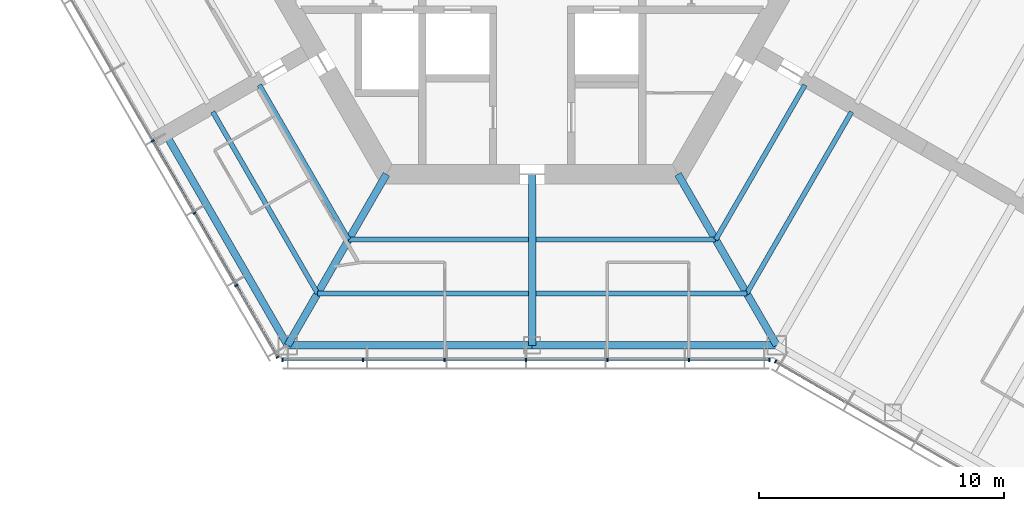
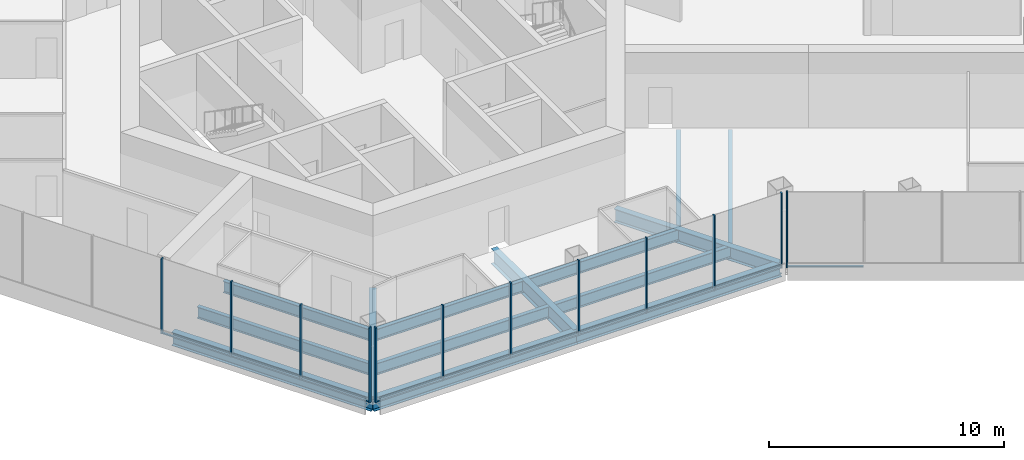
# One storey, part 2 of 16: 22 members, 14 beams, 3 elements without a shape of their own.
"""IFC4 building model written with IfcOpenShell, lengths in metres."""

from ifc_helpers import new_model, si_unit, direction, frame, origin, origin_2d, place, context, subcontext, project, spatial, rectangle, i_section, extrude, material, material_profile, profile_set, type_object, element, aggregate, save


model = new_model("IFC4")

# Units and contexts
model_context = context("Model", 3, precision=1e-05, world=origin(), true_north=direction((0.0, 1.0)))
body_context = subcontext(model_context, "Body", "Model", "MODEL_VIEW")
ifc_project = project(units=[si_unit("LENGTHUNIT", "METRE"), si_unit("AREAUNIT", "SQUARE_METRE"), si_unit("VOLUMEUNIT", "CUBIC_METRE"), si_unit("PLANEANGLEUNIT", "RADIAN"), si_unit("MASSUNIT", "GRAM", prefix="KILO")], contexts=[model_context])

# Site, building, storey
site_placement = place(None, origin())
site = spatial("IfcSite", under=ifc_project, at=site_placement, CompositionType="ELEMENT")
building_placement = place(site_placement, origin())
building = spatial("IfcBuilding", under=site, at=building_placement, Name="Kasaneha Research Tower", CompositionType="ELEMENT")
storey_placement = place(building_placement, frame((0.0, 0.0, 259.60009765625)))
storey = spatial("IfcBuildingStorey", under=building, at=storey_placement, Name="L65", CompositionType="ELEMENT", Elevation=259.60009765625)

# Beams
ifc_material_1 = material(Name="Steel SN490B", Category="steel")
ifc_material_profile_1 = material_profile(ifc_material_1, i_section(OverallWidth=0.199951171875, OverallDepth=0.60009765625, WebThickness=0.010986328125, FlangeThickness=0.01708984375, FilletRadius=0.012939453125, at=origin_2d()), Name="H-600x200x11x17")
ifc_profile_set_1 = profile_set([ifc_material_profile_1], Name="Steel SN490B")
beam_type_1 = type_object("IfcBeamType", Name="B1-3 secondary beam H-600x200x11x17", PredefinedType="JOIST", material=ifc_profile_set_1)
beam_1_placement = place(storey_placement, frame((-7.505615234375, -13.0, -0.4501953125), z_axis=(-0.499999192304, 0.866025870108, 0.0), x_axis=(-0.866025870108, -0.499999192304, 0.0)))
element("IfcBeam", 1, at=beam_1_placement, inside=storey, type_object=beam_type_1, Name="Secondary beam RS210R1 L65", PredefinedType="JOIST", context=body_context, shape_type="SweptSolid", body=[
    extrude(i_section(OverallWidth=0.199951171875, OverallDepth=0.60009765625, WebThickness=0.010986328125, FlangeThickness=0.01708984375, FilletRadius=0.012939453125, at=origin_2d()), origin(), (0.0, 0.0, 1.0), 7.3056640625),
])
beam_2_placement = place(storey_placement, frame((-8.775634765625, -15.199951171875, -0.4501953125), z_axis=(-0.500000102728, 0.866025344474, 0.0), x_axis=(-0.866025344474, -0.500000102728, 0.0)))
element("IfcBeam", 2, at=beam_2_placement, inside=storey, type_object=beam_type_1, Name="Secondary beam RS210R2 L65", PredefinedType="JOIST", context=body_context, shape_type="SweptSolid", body=[
    extrude(i_section(OverallWidth=0.199951171875, OverallDepth=0.60009765625, WebThickness=0.010986328125, FlangeThickness=0.01708984375, FilletRadius=0.012939453125, at=origin_2d()), origin(), (0.0, 0.0, 1.0), 8.57568359375),
])
beam_3_placement = place(storey_placement, frame((-7.505615234375, -13.0, -0.4501953125), z_axis=(1.0, 0.0, 0.0), x_axis=(0.0, 1.0, 0.0)))
element("IfcBeam", 3, at=beam_3_placement, inside=storey, type_object=beam_type_1, Name="Secondary beam RS270L1 L65", PredefinedType="JOIST", context=body_context, shape_type="SweptSolid", body=[
    extrude(i_section(OverallWidth=0.199951171875, OverallDepth=0.60009765625, WebThickness=0.010986328125, FlangeThickness=0.01708984375, FilletRadius=0.012939453125, at=origin_2d()), origin(), (0.0, 0.0, 1.0), 7.355712890625),
])
beam_4_placement = place(storey_placement, frame((-8.775634765625, -15.199951171875, -0.4501953125), z_axis=(1.0, 0.0, 0.0), x_axis=(0.0, 1.0, 0.0)))
element("IfcBeam", 4, at=beam_4_placement, inside=storey, type_object=beam_type_1, Name="Secondary beam RS270L2 L65", PredefinedType="JOIST", context=body_context, shape_type="SweptSolid", body=[
    extrude(i_section(OverallWidth=0.199951171875, OverallDepth=0.60009765625, WebThickness=0.010986328125, FlangeThickness=0.01708984375, FilletRadius=0.012939453125, at=origin_2d()), origin(), (0.0, 0.0, 1.0), 8.625732421875),
])
beam_5_placement = place(storey_placement, frame((7.505615234375, -13.0, -0.4501953125), z_axis=(-1.0, 0.0, 0.0), x_axis=(0.0, -1.0, 0.0)))
element("IfcBeam", 5, at=beam_5_placement, inside=storey, type_object=beam_type_1, Name="Secondary beam RS270R1 L65", PredefinedType="JOIST", context=body_context, shape_type="SweptSolid", body=[
    extrude(i_section(OverallWidth=0.199951171875, OverallDepth=0.60009765625, WebThickness=0.010986328125, FlangeThickness=0.01708984375, FilletRadius=0.012939453125, at=origin_2d()), origin(), (0.0, 0.0, 1.0), 7.355712890625),
])
beam_6_placement = place(storey_placement, frame((8.775634765625, -15.199951171875, -0.4501953125), z_axis=(-1.0, 0.0, 0.0), x_axis=(0.0, -1.0, 0.0)))
element("IfcBeam", 6, at=beam_6_placement, inside=storey, type_object=beam_type_1, Name="Secondary beam RS270R2 L65", PredefinedType="JOIST", context=body_context, shape_type="SweptSolid", body=[
    extrude(i_section(OverallWidth=0.199951171875, OverallDepth=0.60009765625, WebThickness=0.010986328125, FlangeThickness=0.01708984375, FilletRadius=0.012939453125, at=origin_2d()), origin(), (0.0, 0.0, 1.0), 8.625732421875),
])
beam_7_placement = place(storey_placement, frame((7.505615234375, -13.0, -0.4501953125), z_axis=(0.499999192304, 0.866025870108, 0.0), x_axis=(-0.866025870108, 0.499999192304, 0.0)))
element("IfcBeam", 7, at=beam_7_placement, inside=storey, type_object=beam_type_1, Name="Secondary beam RS330L1 L65", PredefinedType="JOIST", context=body_context, shape_type="SweptSolid", body=[
    extrude(i_section(OverallWidth=0.199951171875, OverallDepth=0.60009765625, WebThickness=0.010986328125, FlangeThickness=0.01708984375, FilletRadius=0.012939453125, at=origin_2d()), origin(), (0.0, 0.0, 1.0), 7.3056640625),
])
beam_8_placement = place(storey_placement, frame((8.775634765625, -15.199951171875, -0.4501953125), z_axis=(0.500000102728, 0.866025344474, 0.0), x_axis=(-0.866025344474, 0.500000102728, 0.0)))
element("IfcBeam", 8, at=beam_8_placement, inside=storey, type_object=beam_type_1, Name="Secondary beam RS330L2 L65", PredefinedType="JOIST", context=body_context, shape_type="SweptSolid", body=[
    extrude(i_section(OverallWidth=0.199951171875, OverallDepth=0.60009765625, WebThickness=0.010986328125, FlangeThickness=0.01708984375, FilletRadius=0.012939453125, at=origin_2d()), origin(), (0.0, 0.0, 1.0), 8.57568359375),
])

# Curtain wall, members
ifc_material_2 = material(Name="Glass and aluminium", Category="aluminium")
curtain_wall_type = type_object("IfcCurtainWallType", Name="High-rise office curtain wall", PredefinedType="USERDEFINED", material=ifc_material_2)
curtain_wall_1_placement = place(storey_placement, origin())
curtain_wall_1 = element("IfcCurtainWall", 9, at=curtain_wall_1_placement, inside=storey, type_object=curtain_wall_type, Name="CW-O3 L65 run 04a", ObjectType="UNITISED CURTAIN WALL", PredefinedType="USERDEFINED")
ifc_material_3 = material(Name="Aluminium 6063-T6", Category="aluminium")
ifc_material_profile_2 = material_profile(ifc_material_3, rectangle(XDim=0.06005859375, YDim=0.139892578125, at=origin_2d()), Name="CW-O3 mullion 60x140")
ifc_profile_set_2 = profile_set([ifc_material_profile_2], Name="Aluminium 6063-T6")
member_type_1 = type_object("IfcMemberType", Name="CW-O3 mullion", PredefinedType="MULLION", material=ifc_profile_set_2)
member_1_placement = place(storey_placement, frame((-15.51953125, -8.960205078125, 0.0), z_axis=(0.0, 0.0, 1.0), x_axis=(0.499999995722, -0.866025406254, 0.0)))
member_1 = element("IfcMember", 10, at=member_1_placement, type_object=member_type_1, Name="CW-O3 mullion 4", PredefinedType="MULLION", context=body_context, shape_type="SweptSolid", body=[
    extrude(rectangle(XDim=0.06005859375, YDim=0.139892578125, at=origin_2d()), origin(), (0.0, 0.0, 1.0), 3.89990234375),
])
member_2_placement = place(storey_placement, frame((-13.811767578125, -11.918212890625, 0.0), z_axis=(0.0, 0.0, 1.0), x_axis=(0.499999995722, -0.866025406254, 0.0)))
member_2 = element("IfcMember", 11, at=member_2_placement, type_object=member_type_1, Name="CW-O3 mullion 5", PredefinedType="MULLION", context=body_context, shape_type="SweptSolid", body=[
    extrude(rectangle(XDim=0.06005859375, YDim=0.139892578125, at=origin_2d()), origin(), (0.0, 0.0, 1.0), 3.89990234375),
])
member_3_placement = place(storey_placement, frame((-12.104248046875, -14.8759765625, 0.0), z_axis=(0.0, 0.0, 1.0), x_axis=(0.499999995722, -0.866025406254, 0.0)))
member_3 = element("IfcMember", 12, at=member_3_placement, type_object=member_type_1, Name="CW-O3 mullion 6", PredefinedType="MULLION", context=body_context, shape_type="SweptSolid", body=[
    extrude(rectangle(XDim=0.06005859375, YDim=0.139892578125, at=origin_2d()), origin(), (0.0, 0.0, 1.0), 3.89990234375),
])
member_4_placement = place(storey_placement, frame((-10.411376953125, -17.807861328125, 0.0), z_axis=(0.0, 0.0, 1.0), x_axis=(0.499999995722, -0.866025406254, 0.0)))
member_4 = element("IfcMember", 13, at=member_4_placement, type_object=member_type_1, Name="CW-O3 mullion 7", PredefinedType="MULLION", context=body_context, shape_type="SweptSolid", body=[
    extrude(rectangle(XDim=0.06005859375, YDim=0.139892578125, at=origin_2d()), origin(), (0.0, 0.0, 1.0), 3.89990234375),
])

curtain_wall_2_placement = place(storey_placement, origin())
curtain_wall_2 = element("IfcCurtainWall", 14, at=curtain_wall_2_placement, inside=storey, type_object=curtain_wall_type, Name="CW-O3 L65 run 05a", ObjectType="UNITISED CURTAIN WALL", PredefinedType="USERDEFINED")
member_5_placement = place(storey_placement, frame((-10.21630859375, -17.92041015625, 0.0), z_axis=(0.0, 0.0, 1.0), x_axis=(1.0, 0.0, 0.0)))
member_5 = element("IfcMember", 15, at=member_5_placement, type_object=member_type_1, Name="CW-O3 mullion 1", PredefinedType="MULLION", context=body_context, shape_type="SweptSolid", body=[
    extrude(rectangle(XDim=0.06005859375, YDim=0.139892578125, at=origin_2d()), origin(), (0.0, 0.0, 1.0), 3.89990234375),
])
member_6_placement = place(storey_placement, frame((-6.91552734375, -17.92041015625, 0.0), z_axis=(0.0, 0.0, 1.0), x_axis=(1.0, 0.0, 0.0)))
member_6 = element("IfcMember", 16, at=member_6_placement, type_object=member_type_1, Name="CW-O3 mullion 2", PredefinedType="MULLION", context=body_context, shape_type="SweptSolid", body=[
    extrude(rectangle(XDim=0.06005859375, YDim=0.139892578125, at=origin_2d()), origin(), (0.0, 0.0, 1.0), 3.89990234375),
])
member_7_placement = place(storey_placement, frame((-3.58447265625, -17.92041015625, 0.0), z_axis=(0.0, 0.0, 1.0), x_axis=(1.0, 0.0, 0.0)))
member_7 = element("IfcMember", 17, at=member_7_placement, type_object=member_type_1, Name="CW-O3 mullion 3", PredefinedType="MULLION", context=body_context, shape_type="SweptSolid", body=[
    extrude(rectangle(XDim=0.06005859375, YDim=0.139892578125, at=origin_2d()), origin(), (0.0, 0.0, 1.0), 3.89990234375),
])
member_8_placement = place(storey_placement, frame((-0.253662109375, -17.92041015625, 0.0), z_axis=(0.0, 0.0, 1.0), x_axis=(1.0, 0.0, 0.0)))
member_8 = element("IfcMember", 18, at=member_8_placement, type_object=member_type_1, Name="CW-O3 mullion 4", PredefinedType="MULLION", context=body_context, shape_type="SweptSolid", body=[
    extrude(rectangle(XDim=0.06005859375, YDim=0.139892578125, at=origin_2d()), origin(), (0.0, 0.0, 1.0), 3.89990234375),
])
member_9_placement = place(storey_placement, frame((3.077392578125, -17.92041015625, 0.0), z_axis=(0.0, 0.0, 1.0), x_axis=(1.0, 0.0, 0.0)))
member_9 = element("IfcMember", 19, at=member_9_placement, type_object=member_type_1, Name="CW-O3 mullion 5", PredefinedType="MULLION", context=body_context, shape_type="SweptSolid", body=[
    extrude(rectangle(XDim=0.06005859375, YDim=0.139892578125, at=origin_2d()), origin(), (0.0, 0.0, 1.0), 3.89990234375),
])
member_10_placement = place(storey_placement, frame((6.408203125, -17.92041015625, 0.0), z_axis=(0.0, 0.0, 1.0), x_axis=(1.0, 0.0, 0.0)))
member_10 = element("IfcMember", 20, at=member_10_placement, type_object=member_type_1, Name="CW-O3 mullion 6", PredefinedType="MULLION", context=body_context, shape_type="SweptSolid", body=[
    extrude(rectangle(XDim=0.06005859375, YDim=0.139892578125, at=origin_2d()), origin(), (0.0, 0.0, 1.0), 3.89990234375),
])
member_11_placement = place(storey_placement, frame((9.709228515625, -17.92041015625, 0.0), z_axis=(0.0, 0.0, 1.0), x_axis=(1.0, 0.0, 0.0)))
member_11 = element("IfcMember", 21, at=member_11_placement, type_object=member_type_1, Name="CW-O3 mullion 7", PredefinedType="MULLION", context=body_context, shape_type="SweptSolid", body=[
    extrude(rectangle(XDim=0.06005859375, YDim=0.139892578125, at=origin_2d()), origin(), (0.0, 0.0, 1.0), 3.89990234375),
])

# Curtain wall, member
curtain_wall_3_placement = place(storey_placement, origin())
curtain_wall_3 = element("IfcCurtainWall", 22, at=curtain_wall_3_placement, inside=storey, type_object=curtain_wall_type, Name="CW-O3 L65 run 06a", ObjectType="UNITISED CURTAIN WALL", PredefinedType="USERDEFINED")
member_12_placement = place(storey_placement, frame((9.951904296875, -17.985595703125, 0.0), z_axis=(0.0, 0.0, 1.0), x_axis=(0.866025411464, -0.499999986699, 0.0)))
member_12 = element("IfcMember", 23, at=member_12_placement, type_object=member_type_1, Name="CW-O3 mullion 1", PredefinedType="MULLION", context=body_context, shape_type="SweptSolid", body=[
    extrude(rectangle(XDim=0.06005859375, YDim=0.139892578125, at=origin_2d()), origin(), (0.0, 0.0, 1.0), 3.89990234375),
])

# Member
ifc_material_4 = material(Name="Aluminium 6063-T6", Category="aluminium")
ifc_material_profile_3 = material_profile(ifc_material_4, rectangle(XDim=0.10009765625, YDim=0.06005859375, at=origin_2d()), Name="CW-O3 transom 100x60")
ifc_profile_set_3 = profile_set([ifc_material_profile_3], Name="Aluminium 6063-T6")
member_type_2 = type_object("IfcMemberType", Name="CW-O3 transom", PredefinedType="USERDEFINED", material=ifc_profile_set_3)
member_13_placement = place(storey_placement, frame((-15.504638671875, -8.986328125, 0.02978515625), z_axis=(0.500020578564, -0.866013522419, 0.0), x_axis=(0.866013522419, 0.500020578564, 0.0)))
member_13 = element("IfcMember", 24, at=member_13_placement, type_object=member_type_2, Name="CW-O3 transom 4", ObjectType="TRANSOM", PredefinedType="USERDEFINED", context=body_context, shape_type="SweptSolid", body=[
    extrude(rectangle(XDim=0.10009765625, YDim=0.06005859375, at=origin_2d()), origin(), (0.0, 0.0, 1.0), 3.355224609375),
])

member_14_placement = place(storey_placement, frame((-13.796875, -11.944091796875, 0.02978515625), z_axis=(0.499989072476, -0.866031712701, 0.0), x_axis=(0.866031712701, 0.499989072476, 0.0)))
member_14 = element("IfcMember", 25, at=member_14_placement, type_object=member_type_2, Name="CW-O3 transom 5", ObjectType="TRANSOM", PredefinedType="USERDEFINED", context=body_context, shape_type="SweptSolid", body=[
    extrude(rectangle(XDim=0.10009765625, YDim=0.06005859375, at=origin_2d()), origin(), (0.0, 0.0, 1.0), 3.35546875),
])

member_15_placement = place(storey_placement, frame((-12.089111328125, -14.902099609375, 0.02978515625), z_axis=(0.49997666526, -0.866038875684, 0.0), x_axis=(0.866038875684, 0.49997666526, 0.0)))
member_15 = element("IfcMember", 26, at=member_15_placement, type_object=member_type_2, Name="CW-O3 transom 6", ObjectType="TRANSOM", PredefinedType="USERDEFINED", context=body_context, shape_type="SweptSolid", body=[
    extrude(rectangle(XDim=0.10009765625, YDim=0.06005859375, at=origin_2d()), origin(), (0.0, 0.0, 1.0), 3.325439453125),
])

aggregate(curtain_wall_1, [member_1, member_2, member_3, member_4, member_13, member_14, member_15])

member_16_placement = place(storey_placement, frame((-10.1865234375, -17.92041015625, 0.02978515625), z_axis=(1.0, 0.0, 0.0), x_axis=(0.0, 1.0, 0.0)))
member_16 = element("IfcMember", 27, at=member_16_placement, type_object=member_type_2, Name="CW-O3 transom 1", ObjectType="TRANSOM", PredefinedType="USERDEFINED", context=body_context, shape_type="SweptSolid", body=[
    extrude(rectangle(XDim=0.10009765625, YDim=0.06005859375, at=origin_2d()), origin(), (0.0, 0.0, 1.0), 3.240966796875),
])

member_17_placement = place(storey_placement, frame((-6.885498046875, -17.92041015625, 0.02978515625), z_axis=(1.0, 0.0, 0.0), x_axis=(0.0, 1.0, 0.0)))
member_17 = element("IfcMember", 28, at=member_17_placement, type_object=member_type_2, Name="CW-O3 transom 2", ObjectType="TRANSOM", PredefinedType="USERDEFINED", context=body_context, shape_type="SweptSolid", body=[
    extrude(rectangle(XDim=0.10009765625, YDim=0.06005859375, at=origin_2d()), origin(), (0.0, 0.0, 1.0), 3.27099609375),
])

member_18_placement = place(storey_placement, frame((-3.554443359375, -17.92041015625, 0.02978515625), z_axis=(1.0, 0.0, 0.0), x_axis=(0.0, 1.0, 0.0)))
member_18 = element("IfcMember", 29, at=member_18_placement, type_object=member_type_2, Name="CW-O3 transom 3", ObjectType="TRANSOM", PredefinedType="USERDEFINED", context=body_context, shape_type="SweptSolid", body=[
    extrude(rectangle(XDim=0.10009765625, YDim=0.06005859375, at=origin_2d()), origin(), (0.0, 0.0, 1.0), 3.270751953125),
])

member_19_placement = place(storey_placement, frame((-0.2236328125, -17.92041015625, 0.02978515625), z_axis=(1.0, 0.0, 0.0), x_axis=(0.0, 1.0, 0.0)))
member_19 = element("IfcMember", 30, at=member_19_placement, type_object=member_type_2, Name="CW-O3 transom 4", ObjectType="TRANSOM", PredefinedType="USERDEFINED", context=body_context, shape_type="SweptSolid", body=[
    extrude(rectangle(XDim=0.10009765625, YDim=0.06005859375, at=origin_2d()), origin(), (0.0, 0.0, 1.0), 3.27099609375),
])

member_20_placement = place(storey_placement, frame((3.107421875, -17.92041015625, 0.02978515625), z_axis=(1.0, 0.0, 0.0), x_axis=(0.0, 1.0, 0.0)))
member_20 = element("IfcMember", 31, at=member_20_placement, type_object=member_type_2, Name="CW-O3 transom 5", ObjectType="TRANSOM", PredefinedType="USERDEFINED", context=body_context, shape_type="SweptSolid", body=[
    extrude(rectangle(XDim=0.10009765625, YDim=0.06005859375, at=origin_2d()), origin(), (0.0, 0.0, 1.0), 3.270751953125),
])

member_21_placement = place(storey_placement, frame((6.438232421875, -17.92041015625, 0.02978515625), z_axis=(1.0, 0.0, 0.0), x_axis=(0.0, 1.0, 0.0)))
member_21 = element("IfcMember", 32, at=member_21_placement, type_object=member_type_2, Name="CW-O3 transom 6", ObjectType="TRANSOM", PredefinedType="USERDEFINED", context=body_context, shape_type="SweptSolid", body=[
    extrude(rectangle(XDim=0.10009765625, YDim=0.06005859375, at=origin_2d()), origin(), (0.0, 0.0, 1.0), 3.240966796875),
])

aggregate(curtain_wall_2, [member_5, member_6, member_7, member_8, member_9, member_10, member_11, member_16, member_17, member_18, member_19, member_20, member_21])

member_22_placement = place(storey_placement, frame((9.977783203125, -18.00048828125, 0.02978515625), z_axis=(0.866022692473, -0.500004696101, 0.0), x_axis=(0.500004696101, 0.866022692473, 0.0)))
member_22 = element("IfcMember", 33, at=member_22_placement, type_object=member_type_2, Name="CW-O3 transom 1", ObjectType="TRANSOM", PredefinedType="USERDEFINED", context=body_context, shape_type="SweptSolid", body=[
    extrude(rectangle(XDim=0.10009765625, YDim=0.06005859375, at=origin_2d()), origin(), (0.0, 0.0, 1.0), 3.2197265625),
])

aggregate(curtain_wall_3, [member_12, member_22])

# Beams
ifc_material_5 = material(Name="Steel SN490B", Category="steel")
ifc_material_profile_4 = material_profile(ifc_material_5, i_section(OverallWidth=0.300048828125, OverallDepth=0.699951171875, WebThickness=0.012939453125, FlangeThickness=0.02392578125, FilletRadius=0.01806640625, at=origin_2d()), Name="H-700x300x13x24")
ifc_profile_set_4 = profile_set([ifc_material_profile_4], Name="Steel SN490B")
beam_type_2 = type_object("IfcBeamType", Name="G1-3 radial girder H-700x300x13x24", PredefinedType="BEAM", material=ifc_profile_set_4)
for number, where, z_axis, x_axis, name in (
    (34, (-5.961181640625, -10.324951171875, -0.5), (-0.49999105496, -0.866030568144, 0.0), (0.866030568144, -0.49999105496, 0.0), "Radial girder RV240 L65"),
    (35, (5.961181640625, -10.324951171875, -0.5), (0.49999105496, -0.866030568144, 0.0), (0.866030568144, 0.49999105496, 0.0), "Radial girder RV300 L65"),
):
    element("IfcBeam", number, at=place(storey_placement, frame(where, z_axis=z_axis, x_axis=x_axis)), inside=storey, type_object=beam_type_2, Name=name, PredefinedType="BEAM", context=body_context, shape_type="SweptSolid", body=[
        extrude(i_section(OverallWidth=0.300048828125, OverallDepth=0.699951171875, WebThickness=0.012939453125, FlangeThickness=0.02392578125, FilletRadius=0.01806640625, at=origin_2d()), origin(), (0.0, 0.0, 1.0), 8.077880859375),
    ])
ifc_material_6 = material(Name="Steel SN490B", Category="steel")
ifc_material_profile_5 = material_profile(ifc_material_6, i_section(OverallWidth=0.300048828125, OverallDepth=0.800048828125, WebThickness=0.013916015625, FlangeThickness=0.02587890625, FilletRadius=0.01806640625, at=origin_2d()), Name="H-800x300x14x26")
ifc_profile_set_5 = profile_set([ifc_material_profile_5], Name="Steel SN490B")
beam_type_3 = type_object("IfcBeamType", Name="G2-3 radial girder H-800x300x14x26", PredefinedType="BEAM", material=ifc_profile_set_5)
beam_9_placement = place(storey_placement, frame((0.0, -10.324951171875, -0.550048828125), z_axis=(0.0, -1.0, 0.0), x_axis=(1.0, 0.0, 0.0)))
element("IfcBeam", 36, at=beam_9_placement, inside=storey, type_object=beam_type_3, Name="Radial girder RM270 L65", PredefinedType="BEAM", context=body_context, shape_type="SweptSolid", body=[
    extrude(i_section(OverallWidth=0.300048828125, OverallDepth=0.800048828125, WebThickness=0.013916015625, FlangeThickness=0.02587890625, FilletRadius=0.01806640625, at=origin_2d()), origin(), (0.0, 0.0, 1.0), 6.99560546875),
])
ifc_material_7 = material(Name="Steel SN490B", Category="steel")
ifc_material_profile_6 = material_profile(ifc_material_7, i_section(OverallWidth=0.300048828125, OverallDepth=0.69189453125, WebThickness=0.012939453125, FlangeThickness=0.02001953125, FilletRadius=0.01806640625, at=origin_2d()), Name="H-692x300x13x20")
ifc_profile_set_6 = profile_set([ifc_material_profile_6], Name="Steel SN490B")
beam_type_4 = type_object("IfcBeamType", Name="G3-3 plate edge girder H-692x300x13x20", PredefinedType="BEAM", material=ifc_profile_set_6)
beam_10_placement = place(storey_placement, frame((-10.0, -17.320556640625, -0.49609375), z_axis=(-0.49999201416, 0.866030014362, 0.0), x_axis=(-0.866030014362, -0.49999201416, 0.0)))
element("IfcBeam", 37, at=beam_10_placement, inside=storey, type_object=beam_type_4, Name="Plate edge girder PEBN L65", PredefinedType="BEAM", context=body_context, shape_type="SweptSolid", body=[
    extrude(i_section(OverallWidth=0.300048828125, OverallDepth=0.69189453125, WebThickness=0.012939453125, FlangeThickness=0.02001953125, FilletRadius=0.01806640625, at=origin_2d()), origin(), (0.0, 0.0, 1.0), 9.800048828125),
])
ifc_material_8 = material(Name="Steel SN490B", Category="steel")
ifc_material_profile_7 = material_profile(ifc_material_8, i_section(OverallWidth=0.300048828125, OverallDepth=0.69189453125, WebThickness=0.012939453125, FlangeThickness=0.02001953125, FilletRadius=0.01806640625, at=origin_2d()), Name="H-692x300x13x20")
ifc_profile_set_7 = profile_set([ifc_material_profile_7], Name="Steel SN490B")
beam_type_5 = type_object("IfcBeamType", Name="SB1-3 spandrel beam H-692x300x13x20", PredefinedType="SPANDREL", material=ifc_profile_set_7)
for number, where, z_axis, x_axis, name in (
    (38, (-10.0, -17.320556640625, -0.49609375), (1.0, 0.0, 0.0), (0.0, 1.0, 0.0), "Spandrel beam SR270L L65"),
    (39, (10.0, -17.320556640625, -0.49609375), (-1.0, 0.0, 0.0), (0.0, -1.0, 0.0), "Spandrel beam SR270R L65"),
):
    element("IfcBeam", number, at=place(storey_placement, frame(where, z_axis=z_axis, x_axis=x_axis)), inside=storey, type_object=beam_type_5, Name=name, PredefinedType="SPANDREL", context=body_context, shape_type="SweptSolid", body=[
        extrude(i_section(OverallWidth=0.300048828125, OverallDepth=0.69189453125, WebThickness=0.012939453125, FlangeThickness=0.02001953125, FilletRadius=0.01806640625, at=origin_2d()), origin(), (0.0, 0.0, 1.0), 10.0),
    ])

save(model, "model.ifc")
